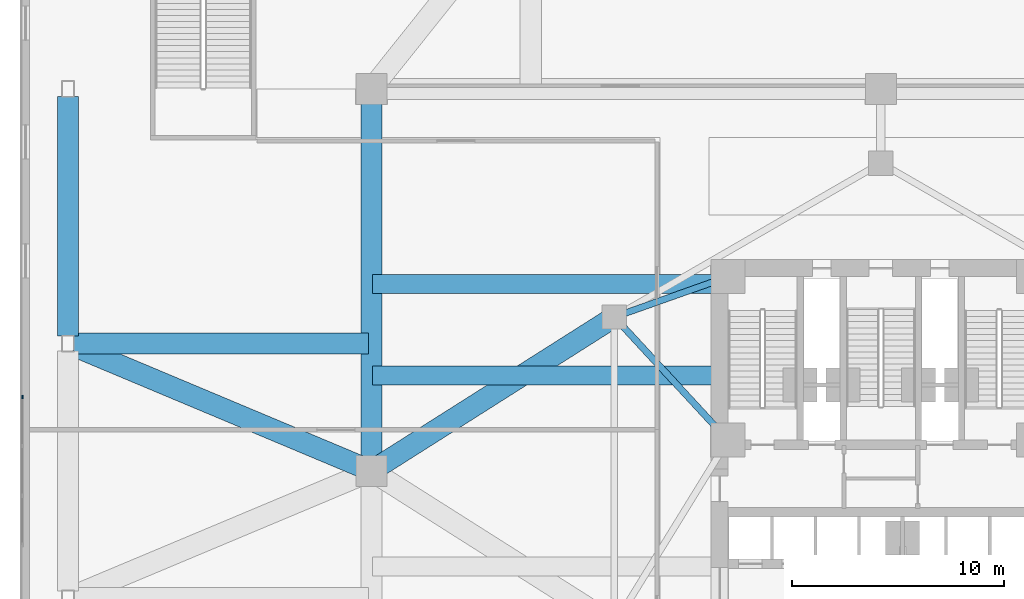
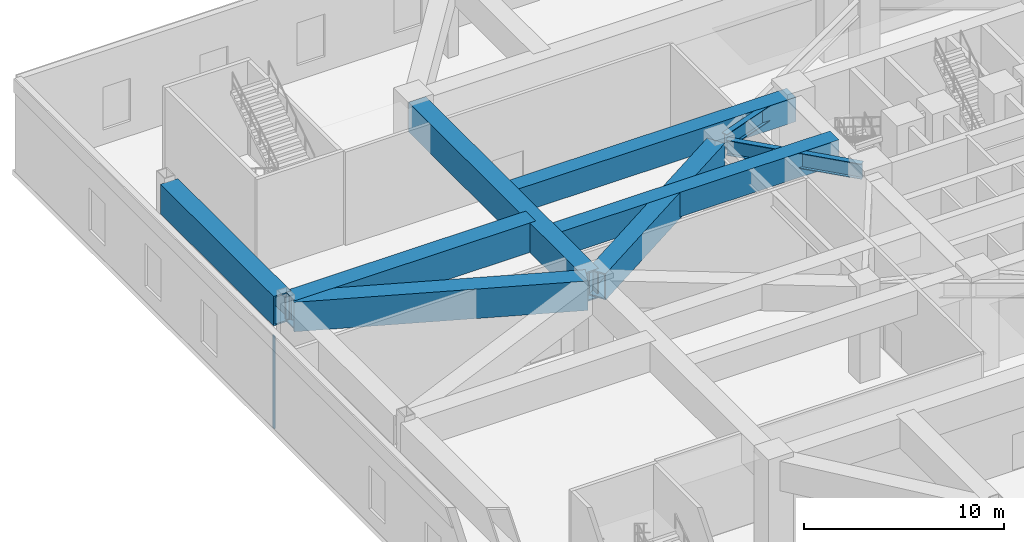
# One storey, part 6 of 24: 9 beams, 1 member, 1 element without a shape of its own.
"""IFC4 building model written with IfcOpenShell, lengths in metres."""

from ifc_helpers import new_model, si_unit, direction, frame, origin, origin_2d, place, context, subcontext, project, spatial, rectangle, hollow_rectangle, i_section, extrude, material, layer, layer_set, material_profile, profile_set, type_object, element, aggregate, save


model = new_model("IFC4")

# Units and contexts
model_context = context("Model", 3, precision=1e-05, world=origin(), true_north=direction((0.0, 1.0)))
body_context = subcontext(model_context, "Body", "Model", "MODEL_VIEW")
ifc_project = project(units=[si_unit("LENGTHUNIT", "METRE"), si_unit("AREAUNIT", "SQUARE_METRE"), si_unit("VOLUMEUNIT", "CUBIC_METRE"), si_unit("PLANEANGLEUNIT", "RADIAN"), si_unit("MASSUNIT", "GRAM", prefix="KILO")], contexts=[model_context])

# Site, building, storey
site_placement = place(None, origin())
site = spatial("IfcSite", under=ifc_project, at=site_placement, CompositionType="ELEMENT")
building_placement = place(site_placement, origin())
building = spatial("IfcBuilding", under=site, at=building_placement, Name="Apsidion Concourse Tower", CompositionType="ELEMENT")
storey_placement = place(building_placement, frame((0.0, 0.0, 17.5)))
storey = spatial("IfcBuildingStorey", under=building, at=storey_placement, Name="L03", CompositionType="ELEMENT", Elevation=17.5)

# Beams
ifc_material_1 = material(Name="Structural steel ASTM A992 Grade 50", Category="steel")
ifc_material_profile_1 = material_profile(ifc_material_1, i_section(OverallWidth=0.31005859375, OverallDepth=0.931884765625, WebThickness=0.02099609375, FlangeThickness=0.034423828125, at=origin_2d()), Name="W36X210")
ifc_profile_set_1 = profile_set([ifc_material_profile_1], Name="Structural steel ASTM A992 Grade 50")
beam_type_1 = type_object("IfcBeamType", Name="BM-G-W36", PredefinedType="USERDEFINED", material=ifc_profile_set_1)
beam_1_placement = place(storey_placement, frame((-12.28857421875, 6.956298828125, 5.23388671875), z_axis=(0.678712876106, -0.73440372535, 0.0), x_axis=(0.73440372535, 0.678712876106, 0.0)))
element("IfcBeam", 1, at=beam_1_placement, inside=storey, type_object=beam_type_1, Name="L03 Core Coupling Girder IC5-SC6", ObjectType="GIRDER", PredefinedType="USERDEFINED", context=body_context, shape_type="SweptSolid", body=[
    extrude(i_section(OverallWidth=0.31005859375, OverallDepth=0.931884765625, WebThickness=0.02099609375, FlangeThickness=0.034423828125, at=origin_2d()), origin(), (0.0, 0.0, 1.0), 7.097412109375),
])
beam_2_placement = place(storey_placement, frame((-12.18310546875, 7.383544921875, 5.23388671875), z_axis=(0.942533844539, 0.334110688094, 0.0), x_axis=(-0.334110688094, 0.942533844539, 0.0)))
element("IfcBeam", 2, at=beam_2_placement, inside=storey, type_object=beam_type_1, Name="L03 Core Coupling Girder IC5-SC5", ObjectType="GIRDER", PredefinedType="USERDEFINED", context=body_context, shape_type="SweptSolid", body=[
    extrude(i_section(OverallWidth=0.31005859375, OverallDepth=0.931884765625, WebThickness=0.02099609375, FlangeThickness=0.034423828125, at=origin_2d()), origin(), (0.0, 0.0, 1.0), 4.886962890625),
])
ifc_material_2 = material(Name="Concrete C50/60", Category="concrete")
ifc_material_profile_2 = material_profile(ifc_material_2, rectangle(XDim=0.89990234375, YDim=1.5, at=origin_2d()), Name="RC 900x1500")
ifc_profile_set_2 = profile_set([ifc_material_profile_2], Name="Concrete C50/60")
beam_type_2 = type_object("IfcBeamType", Name="BM-TB-RC15", PredefinedType="T_BEAM", material=ifc_profile_set_2)
for number, where, z_axis, x_axis, name in (
    (3, (-23.949951171875, 4.5, 4.949951171875), (1.0, 0.0, 0.0), (0.0, 1.0, 0.0), "L03 Convention Long-Span Tee Beam W3"),
    (4, (-23.949951171875, 8.800048828125, 4.949951171875), (1.0, 0.0, 0.0), (0.0, 1.0, 0.0), "L03 Convention Long-Span Tee Beam W4"),
):
    element("IfcBeam", number, at=place(storey_placement, frame(where, z_axis=z_axis, x_axis=x_axis)), inside=storey, type_object=beam_type_2, Name=name, PredefinedType="T_BEAM", context=body_context, shape_type="SweptSolid", body=[
        extrude(rectangle(XDim=0.89990234375, YDim=1.5, at=origin_2d()), origin(), (0.0, 0.0, 1.0), 16.449951171875),
    ])
ifc_material_3 = material(Name="Structural steel ASTM A572 Grade 50", Category="steel")
ifc_material_profile_3 = material_profile(ifc_material_3, hollow_rectangle(XDim=1.0, YDim=1.60009765625, WallThickness=0.074951171875, at=origin_2d()), Name="BOX1600X1000X75")
ifc_profile_set_3 = profile_set([ifc_material_profile_3], Name="Structural steel ASTM A572 Grade 50")
beam_type_3 = type_object("IfcBeamType", Name="BM-TR-1600", PredefinedType="USERDEFINED", material=ifc_profile_set_3)
beam_3_placement = place(storey_placement, frame((-23.704345703125, 0.1875, 4.89990234375), z_axis=(0.844671254714, 0.535285411215, 0.0), x_axis=(-0.535285411215, 0.844671254714, 0.0)))
element("IfcBeam", 5, at=beam_3_placement, inside=storey, type_object=beam_type_3, Name="L03 Podium Girder MC3-IC5", ObjectType="GIRDER", PredefinedType="USERDEFINED", context=body_context, shape_type="SweptSolid", body=[
    extrude(hollow_rectangle(XDim=1.0, YDim=1.60009765625, WallThickness=0.074951171875, at=origin_2d()), origin(), (0.0, 0.0, 1.0), 12.843505859375),
])
ifc_material_profile_4 = material_profile(ifc_material_3, hollow_rectangle(XDim=1.0, YDim=1.800048828125, WallThickness=0.080078125, at=origin_2d()), Name="BOX1800X1000X80")
ifc_profile_set_4 = profile_set([ifc_material_profile_4], Name="Structural steel ASTM A572 Grade 50")
beam_type_4 = type_object("IfcBeamType", Name="BM-TR-1800", PredefinedType="USERDEFINED", material=ifc_profile_set_4)
beam_4_placement = place(storey_placement, frame((-24.0, 0.35009765625, 4.800048828125), z_axis=(0.0, 1.0, 0.0), x_axis=(-1.0, 0.0, 0.0)))
element("IfcBeam", 6, at=beam_4_placement, inside=storey, type_object=beam_type_4, Name="L03 Podium Transfer Collector Girder MC3-MC5", ObjectType="GIRDER", PredefinedType="USERDEFINED", context=body_context, shape_type="SweptSolid", body=[
    extrude(hollow_rectangle(XDim=1.0, YDim=1.800048828125, WallThickness=0.080078125, at=origin_2d()), origin(), (0.0, 0.0, 1.0), 17.2998046875),
])
beam_5_placement = place(storey_placement, frame((-38.050048828125, 6.0, 4.800048828125), z_axis=(1.0, 0.0, 0.0), x_axis=(0.0, 1.0, 0.0)))
element("IfcBeam", 7, at=beam_5_placement, inside=storey, type_object=beam_type_4, Name="L03 Podium Radial Frame Girder PC03", ObjectType="GIRDER", PredefinedType="USERDEFINED", context=body_context, shape_type="SweptSolid", body=[
    extrude(hollow_rectangle(XDim=1.0, YDim=1.800048828125, WallThickness=0.080078125, at=origin_2d()), origin(), (0.0, 0.0, 1.0), 13.900146484375),
])
beam_6_placement = place(storey_placement, frame((-37.977294921875, 5.864501953125, 4.800048828125), z_axis=(0.92212437548, -0.386893572118, 0.0), x_axis=(0.386893572118, 0.92212437548, 0.0)))
element("IfcBeam", 8, at=beam_6_placement, inside=storey, type_object=beam_type_4, Name="L03 Podium Diagonal Frame Tie PC03", ObjectType="GIRDER", PredefinedType="USERDEFINED", context=body_context, shape_type="SweptSolid", body=[
    extrude(hollow_rectangle(XDim=1.0, YDim=1.800048828125, WallThickness=0.080078125, at=origin_2d()), origin(), (0.0, 0.0, 1.0), 14.8076171875),
])
beam_7_placement = place(storey_placement, frame((-38.300048828125, 6.35009765625, 4.800048828125), z_axis=(0.0, 1.0, 0.0), x_axis=(-1.0, 0.0, 0.0)))
element("IfcBeam", 9, at=beam_7_placement, inside=storey, type_object=beam_type_4, Name="L03 Podium Spandrel Girder PC03-PC04", ObjectType="GIRDER", PredefinedType="USERDEFINED", context=body_context, shape_type="SweptSolid", body=[
    extrude(hollow_rectangle(XDim=1.0, YDim=1.800048828125, WallThickness=0.080078125, at=origin_2d()), origin(), (0.0, 0.0, 1.0), 11.2998046875),
])

# Curtain wall, member
ifc_material_4 = material(Name="Insulated laminated low-E glass", Category="glass")
ifc_layer = layer(ifc_material_4, 0.199951171875)
ifc_layer_set = layer_set([ifc_layer], Name="Insulated laminated low-E glass")
curtain_wall_type = type_object("IfcCurtainWallType", Name="CW-SYS-02", PredefinedType="NOTDEFINED", material=ifc_layer_set)
curtain_wall_placement = place(storey_placement, origin())
curtain_wall = element("IfcCurtainWall", 10, at=curtain_wall_placement, inside=storey, type_object=curtain_wall_type, Name="L03 Podium Glazed Curtain Wall W", PredefinedType="NOTDEFINED")
ifc_material_5 = material(Name="Anodised aluminium EN AW-6063 T6", Category="aluminium")
ifc_material_profile_5 = material_profile(ifc_material_5, rectangle(XDim=0.06494140625, YDim=0.179931640625, at=origin_2d()), Name="ALU MULLION 65x180")
ifc_profile_set_5 = profile_set([ifc_material_profile_5], Name="Anodised aluminium EN AW-6063 T6")
member_type = type_object("IfcMemberType", Name="CWM-65X180", PredefinedType="MULLION", material=ifc_profile_set_5)
member_placement = place(storey_placement, frame((-40.43994140625, 3.4833984375, 0.0), z_axis=(0.0, 0.0, 1.0), x_axis=(-1.0, 0.0, 0.0)))
member = element("IfcMember", 11, at=member_placement, type_object=member_type, Name="CW-02 mullion 4", PredefinedType="MULLION", context=body_context, shape_type="SweptSolid", body=[
    extrude(rectangle(XDim=0.06494140625, YDim=0.179931640625, at=origin_2d()), origin(), (0.0, 0.0, 1.0), 5.64990234375),
])
aggregate(curtain_wall, [member])

save(model, "model.ifc")
